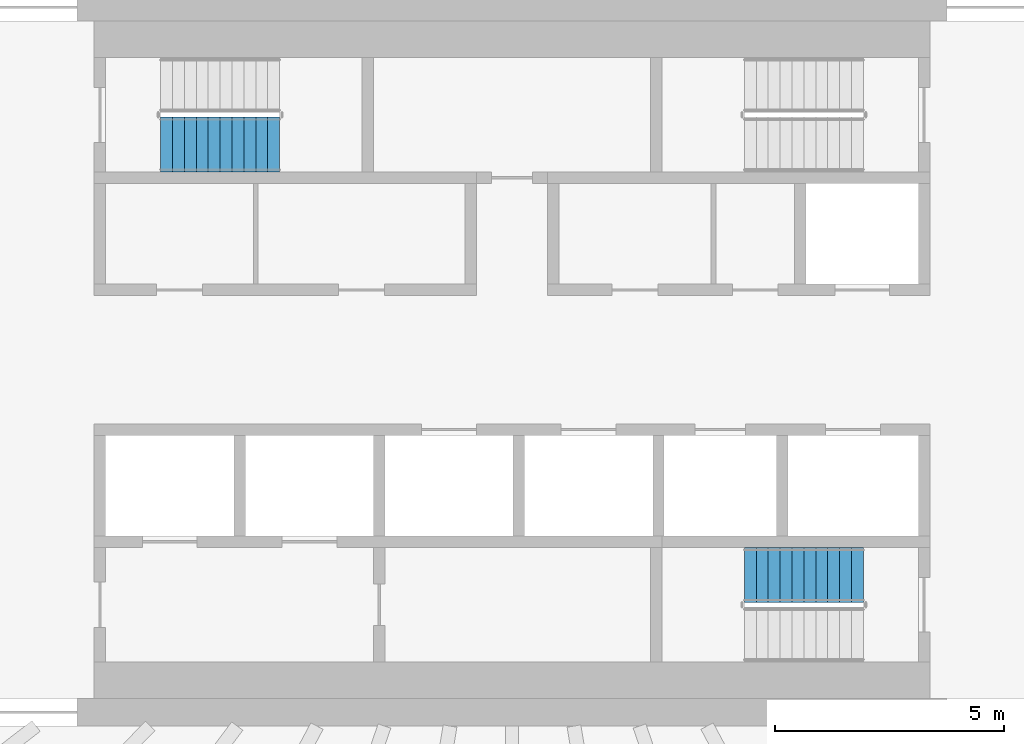
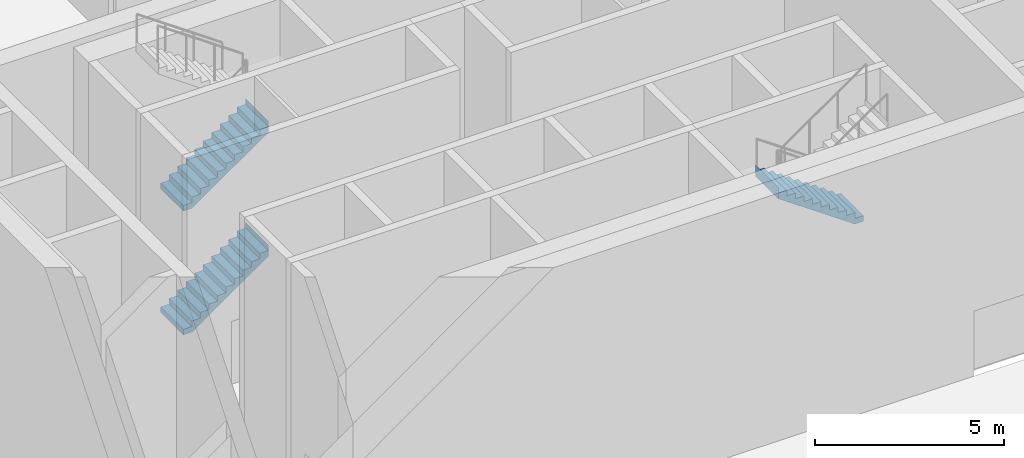
# One storey, part 26 of 36: 3 stair flights, 2 elements without a shape of their own.
"""IFC4 building model written with IfcOpenShell, lengths in metres."""

import ifcopenshell
import ifcopenshell.guid

model = None  # the IFC model being written
_history = None  # IfcOwnerHistory: only IFC2X3 demands one
_inside = {}  # id of a spatial element -> (the spatial element, [elements in it])
_under = {}  # id of a project, library or spatial element -> (it, [spatial elements below it])
_declared = {}  # id of a project -> (the project, [libraries it declares])
_typed = {}  # id of a type object -> (the type object, [elements of that type])
_made_of = {}  # id of a material, layer set ... -> (it, [elements and type objects made of it])


def new_model(schema):
    """Start an empty IFC model of exactly this schema.

    Asked for "IFC4X3", IfcOpenShell would pick the latest addendum, in which some entities
    have other attributes; the version numbers below select the first issue.
    IFC2X3 requires an IfcOwnerHistory on every rooted entity: one is made here for all.
    """
    global model, _history
    if schema == "IFC4X3":
        model = ifcopenshell.file(schema_version=(4, 3, 0, 0))
    else:
        model = ifcopenshell.file(schema=schema)
    _inside.clear()
    _under.clear()
    _declared.clear()
    _typed.clear()
    _made_of.clear()
    _history = None
    if model.schema == "IFC2X3":
        org = make("IfcOrganization", Name="unknown")
        user = make(
            "IfcPersonAndOrganization",
            ThePerson=make("IfcPerson", FamilyName="unknown"),
            TheOrganization=org,
        )
        app = make(
            "IfcApplication",
            ApplicationDeveloper=org,
            Version="unknown",
            ApplicationFullName="unknown",
            ApplicationIdentifier="unknown",
        )
        _history = make(
            "IfcOwnerHistory",
            OwningUser=user,
            OwningApplication=app,
            ChangeAction="ADDED",
            CreationDate=0,
        )
    return model


def make(cls, **values):
    """One entity of the class cls with the attributes given. An attribute that is None is left unset."""
    return model.create_entity(
        cls, **{name: value for name, value in values.items() if value is not None}
    )


def rooted(cls, **values):
    """An entity with a GlobalId (a new one), such as an element, a storey or a relation."""
    return make(cls, GlobalId=ifcopenshell.guid.new(), OwnerHistory=_history, **values)


def si_unit(unit_type, name, prefix=None):
    """IfcSIUnit, for example si_unit("LENGTHUNIT", "METRE", prefix="MILLI")."""
    return make("IfcSIUnit", UnitType=unit_type, Prefix=prefix, Name=name)


def assignment(units):
    """IfcUnitAssignment: the units of a project."""
    return None if units is None else make("IfcUnitAssignment", Units=units)


def point(xyz):
    """IfcCartesianPoint."""
    return None if xyz is None else make("IfcCartesianPoint", Coordinates=xyz)


def direction(xyz):
    """IfcDirection."""
    return None if xyz is None else make("IfcDirection", DirectionRatios=xyz)


def frame(location, z_axis=None, x_axis=None):
    """IfcAxis2Placement3D, a coordinate frame: its origin and axes. An axis left out is left unset."""
    return make(
        "IfcAxis2Placement3D",
        Location=point(location),
        Axis=direction(z_axis),
        RefDirection=direction(x_axis),
    )


def origin():
    """The frame at (0, 0, 0) with its axes left unset."""
    return frame((0.0, 0.0, 0.0))


def place(relative_to, where):
    """IfcLocalPlacement: puts the frame where relative to a parent placement (None: the world)."""
    return make(
        "IfcLocalPlacement", PlacementRelTo=relative_to, RelativePlacement=where
    )


def context(
    kind, dimensions, precision=None, world=None, true_north=None, identifier=None
):
    """IfcGeometricRepresentationContext, for example the 3D "Model" context."""
    return make(
        "IfcGeometricRepresentationContext",
        ContextIdentifier=identifier,
        ContextType=kind,
        CoordinateSpaceDimension=dimensions,
        Precision=precision,
        WorldCoordinateSystem=world,
        TrueNorth=true_north,
    )


def subcontext(parent, identifier, kind, view, scale=None):
    """IfcGeometricRepresentationSubContext, for example "Body" below "Model"."""
    return make(
        "IfcGeometricRepresentationSubContext",
        ContextIdentifier=identifier,
        ContextType=kind,
        ParentContext=parent,
        TargetScale=scale,
        TargetView=view,
    )


def project(units=None, contexts=None):
    """IfcProject with its units and contexts."""
    return rooted(
        "IfcProject",
        Name="project",
        RepresentationContexts=contexts,
        UnitsInContext=assignment(units),
    )


def spatial(cls, under=None, at=None, **own):
    """A site, building, storey or space (cls), placed at a placement, below another one or the project."""
    s = rooted(cls, ObjectPlacement=at, **own)
    if under is not None:
        _under.setdefault(under.id(), (under, []))[1].append(s)
    return s


def point_list(points):
    """IfcCartesianPointList2D or 3D."""
    cls = (
        "IfcCartesianPointList2D" if len(points[0]) == 2 else "IfcCartesianPointList3D"
    )
    return make(cls, CoordList=points)


def triangles(points, corners, closed=None, point_numbers=None):
    """IfcTriangulatedFaceSet: each triangle names its three corners, points numbered from 1."""
    return make(
        "IfcTriangulatedFaceSet",
        Coordinates=point_list(points),
        Closed=closed,
        CoordIndex=corners,
        PnIndex=point_numbers,
    )


def shape(context_of_items, identifier, shape_type, items):
    """IfcShapeRepresentation: the items that make up one representation, for example the "Body"."""
    return make(
        "IfcShapeRepresentation",
        ContextOfItems=context_of_items,
        RepresentationIdentifier=identifier,
        RepresentationType=shape_type,
        Items=items,
    )


def material(Name=None, Category=None):
    """IfcMaterial."""
    return make("IfcMaterial", Name=Name, Category=Category)


def made_of(thing, what):
    """Note that an element or type object is made of a material, layer set ...; save() writes the relation."""
    if what is not None:
        _made_of.setdefault(what.id(), (what, []))[1].append(thing)
    return thing


def type_object(cls, material=None, **own):
    """A type object (cls), such as IfcWallType, which elements share."""
    return made_of(rooted(cls, **own), material)


def element(
    cls,
    number,
    at=None,
    inside=None,
    cuts=None,
    type_object=None,
    material=None,
    context=None,
    identifier="Body",
    shape_type=None,
    held_by="IfcProductDefinitionShape",
    body=None,
    shapes=None,
    **own,
):
    """One element of the class cls, such as IfcWall. Its Tag is "e" and its number.

    at: its placement. inside: the storey or other place that contains it. cuts: it is an
    opening in that element (IfcRelVoidsElement). A single representation is given by context,
    identifier, shape_type and body (its items); several are given by shapes. held_by: the class
    of the entity that holds the representations. save() writes the other relations.
    """
    e = rooted(cls, Tag="e%d" % number, ObjectPlacement=at, **own)
    if body is not None:
        shapes = [shape(context, identifier, shape_type, body)]
    if shapes is not None:
        e.Representation = make(held_by, Representations=shapes)
    if inside is not None:
        _inside.setdefault(inside.id(), (inside, []))[1].append(e)
    if cuts is not None:
        rooted(
            "IfcRelVoidsElement", RelatingBuildingElement=cuts, RelatedOpeningElement=e
        )
    if type_object is not None:
        _typed.setdefault(type_object.id(), (type_object, []))[1].append(e)
    return made_of(e, material)


def aggregate(whole, parts):
    """IfcRelAggregates: a whole, such as a stair, and the parts it consists of."""
    return rooted("IfcRelAggregates", RelatingObject=whole, RelatedObjects=parts)


def save(model, path):
    """Write the relations noted so far, then the file.

    IfcRelAggregates (storeys below a building ...), IfcRelContainedInSpatialStructure (elements
    in a storey), IfcRelDefinesByType, IfcRelAssociatesMaterial and IfcRelDeclares: one each for
    every whole, place, type object, material and project.
    """
    for whole, parts in _under.values():
        aggregate(whole, parts)
    for where, things in _inside.values():
        rooted(
            "IfcRelContainedInSpatialStructure",
            RelatedElements=things,
            RelatingStructure=where,
        )
    for kind, things in _typed.values():
        rooted("IfcRelDefinesByType", RelatedObjects=things, RelatingType=kind)
    for what, things in _made_of.values():
        rooted("IfcRelAssociatesMaterial", RelatedObjects=things, RelatingMaterial=what)
    for by, libraries in _declared.values():
        rooted("IfcRelDeclares", RelatingContext=by, RelatedDefinitions=libraries)
    model.write(path)


model = new_model("IFC4")

# Units and contexts
model_context = context("Model", 3, precision=1e-05, world=origin(), true_north=direction((0.0, 1.0)))
body_context = subcontext(model_context, "Body", "Model", "MODEL_VIEW")
ifc_project = project(units=[si_unit("LENGTHUNIT", "METRE"), si_unit("AREAUNIT", "SQUARE_METRE"), si_unit("VOLUMEUNIT", "CUBIC_METRE"), si_unit("PLANEANGLEUNIT", "RADIAN"), si_unit("MASSUNIT", "GRAM", prefix="KILO")], contexts=[model_context])

# Site, building, storey
site_placement = place(None, origin())
site = spatial("IfcSite", under=ifc_project, at=site_placement, CompositionType="ELEMENT")
building_placement = place(site_placement, origin())
building = spatial("IfcBuilding", under=site, at=building_placement, Name="Sahrelin Media Tower", CompositionType="ELEMENT")
storey_placement = place(building_placement, origin())
storey = spatial("IfcBuildingStorey", under=building, at=storey_placement, Name="L00", CompositionType="ELEMENT", Elevation=0.0)

# Stair, stair flights
ifc_material = material(Name="Concrete C40/50", Category="concrete")
stair_type = type_object("IfcStairType", Name="Exit stair 1200", PredefinedType="HALF_TURN_STAIR", material=ifc_material)
placement = place(storey_placement, origin())
stair_1 = element("IfcStair", 1, at=placement, inside=storey, type_object=stair_type, Name="L00 Exit stair ST1", PredefinedType="HALF_TURN_STAIR")
stair_flight_type = type_object("IfcStairFlightType", Name="Stair flight 1200", PredefinedType="STRAIGHT", material=ifc_material)
stair_flight_1_placement = place(storey_placement, frame((-7.675048828125, 4.699951171875, 0.0), z_axis=(0.0, 0.0, 1.0), x_axis=(1.0, 0.0, 0.0)))
stair_flight_1 = element("IfcStairFlight", 2, at=stair_flight_1_placement, type_object=stair_flight_type, Name="ST1 flight 1", NumberOfRisers=11, NumberOfTreads=10, PredefinedType="STRAIGHT", RiserHeight=0.181818182, TreadLength=0.26, context=body_context, shape_type="Tessellation", body=[
    triangles([(0.261474609375, 0.60009765625, 0.0), (0.261474609375, 0.300048828125, 0.0), (0.261474609375, 0.0, 0.0), (0.261474609375, -0.300048828125, 0.0), (0.261474609375, -0.60009765625, 0.0), (2.60009765625, 0.60009765625, 1.63525390625), (2.60009765625, 0.300048828125, 1.63525390625), (2.60009765625, 0.0, 1.63525390625), (2.60009765625, -0.300048828125, 1.63525390625), (2.60009765625, -0.60009765625, 1.63525390625), (2.60009765625, 0.60009765625, 2.0), (2.60009765625, 0.300048828125, 2.0), (2.60009765625, 0.0, 2.0), (2.60009765625, -0.300048828125, 2.0), (2.60009765625, -0.60009765625, 2.0), (2.597900390625, 0.60009765625, 2.0), (2.597900390625, 0.300048828125, 2.0), (2.597900390625, 0.0, 2.0), (2.597900390625, -0.300048828125, 2.0), (2.597900390625, -0.60009765625, 2.0), (2.597900390625, 0.60009765625, 1.818115234375), (2.597900390625, 0.300048828125, 1.818115234375), (2.597900390625, 0.0, 1.818115234375), (2.597900390625, -0.300048828125, 1.818115234375), (2.597900390625, -0.60009765625, 1.818115234375), (2.340087890625, 0.60009765625, 1.818115234375), (2.340087890625, 0.300048828125, 1.818115234375), (2.340087890625, 0.0, 1.818115234375), (2.340087890625, -0.300048828125, 1.818115234375), (2.340087890625, -0.60009765625, 1.818115234375), (2.340087890625, 0.60009765625, 1.636474609375), (2.340087890625, 0.300048828125, 1.636474609375), (2.340087890625, 0.0, 1.636474609375), (2.340087890625, -0.300048828125, 1.636474609375), (2.340087890625, -0.60009765625, 1.636474609375), (2.080078125, 0.60009765625, 1.636474609375), (2.080078125, 0.300048828125, 1.636474609375), (2.080078125, 0.0, 1.636474609375), (2.080078125, -0.300048828125, 1.636474609375), (2.080078125, -0.60009765625, 1.636474609375), (2.080078125, 0.60009765625, 1.45458984375), (2.080078125, 0.300048828125, 1.45458984375), (2.080078125, 0.0, 1.45458984375), (2.080078125, -0.300048828125, 1.45458984375), (2.080078125, -0.60009765625, 1.45458984375), (1.820068359375, 0.60009765625, 1.45458984375), (1.820068359375, 0.300048828125, 1.45458984375), (1.820068359375, 0.0, 1.45458984375), (1.820068359375, -0.300048828125, 1.45458984375), (1.820068359375, -0.60009765625, 1.45458984375), (1.820068359375, 0.60009765625, 1.272705078125), (1.820068359375, 0.300048828125, 1.272705078125), (1.820068359375, 0.0, 1.272705078125), (1.820068359375, -0.300048828125, 1.272705078125), (1.820068359375, -0.60009765625, 1.272705078125), (1.56005859375, 0.60009765625, 1.272705078125), (1.56005859375, 0.300048828125, 1.272705078125), (1.56005859375, 0.0, 1.272705078125), (1.56005859375, -0.300048828125, 1.272705078125), (1.56005859375, -0.60009765625, 1.272705078125), (1.56005859375, 0.60009765625, 1.0908203125), (1.56005859375, 0.300048828125, 1.0908203125), (1.56005859375, 0.0, 1.0908203125), (1.56005859375, -0.300048828125, 1.0908203125), (1.56005859375, -0.60009765625, 1.0908203125), (1.300048828125, 0.60009765625, 1.0908203125), (1.300048828125, 0.300048828125, 1.0908203125), (1.300048828125, 0.0, 1.0908203125), (1.300048828125, -0.300048828125, 1.0908203125), (1.300048828125, -0.60009765625, 1.0908203125), (1.300048828125, 0.60009765625, 0.9091796875), (1.300048828125, 0.300048828125, 0.9091796875), (1.300048828125, 0.0, 0.9091796875), (1.300048828125, -0.300048828125, 0.9091796875), (1.300048828125, -0.60009765625, 0.9091796875), (1.0400390625, 0.60009765625, 0.9091796875), (1.0400390625, 0.300048828125, 0.9091796875), (1.0400390625, 0.0, 0.9091796875), (1.0400390625, -0.300048828125, 0.9091796875), (1.0400390625, -0.60009765625, 0.9091796875), (1.0400390625, 0.60009765625, 0.727294921875), (1.0400390625, 0.300048828125, 0.727294921875), (1.0400390625, 0.0, 0.727294921875), (1.0400390625, -0.300048828125, 0.727294921875), (1.0400390625, -0.60009765625, 0.727294921875), (0.780029296875, 0.60009765625, 0.727294921875), (0.780029296875, 0.300048828125, 0.727294921875), (0.780029296875, 0.0, 0.727294921875), (0.780029296875, -0.300048828125, 0.727294921875), (0.780029296875, -0.60009765625, 0.727294921875), (0.780029296875, 0.60009765625, 0.54541015625), (0.780029296875, 0.300048828125, 0.54541015625), (0.780029296875, 0.0, 0.54541015625), (0.780029296875, -0.300048828125, 0.54541015625), (0.780029296875, -0.60009765625, 0.54541015625), (0.52001953125, 0.60009765625, 0.54541015625), (0.52001953125, 0.300048828125, 0.54541015625), (0.52001953125, 0.0, 0.54541015625), (0.52001953125, -0.300048828125, 0.54541015625), (0.52001953125, -0.60009765625, 0.54541015625), (0.52001953125, 0.60009765625, 0.363525390625), (0.52001953125, 0.300048828125, 0.363525390625), (0.52001953125, 0.0, 0.363525390625), (0.52001953125, -0.300048828125, 0.363525390625), (0.52001953125, -0.60009765625, 0.363525390625), (0.260009765625, 0.60009765625, 0.363525390625), (0.260009765625, 0.300048828125, 0.363525390625), (0.260009765625, 0.0, 0.363525390625), (0.260009765625, -0.300048828125, 0.363525390625), (0.260009765625, -0.60009765625, 0.363525390625), (0.260009765625, 0.60009765625, 0.181884765625), (0.260009765625, 0.300048828125, 0.181884765625), (0.260009765625, 0.0, 0.181884765625), (0.260009765625, -0.300048828125, 0.181884765625), (0.260009765625, -0.60009765625, 0.181884765625), (0.0, 0.60009765625, 0.181884765625), (0.0, 0.300048828125, 0.181884765625), (0.0, 0.0, 0.181884765625), (0.0, -0.300048828125, 0.181884765625), (0.0, -0.60009765625, 0.181884765625), (0.0, 0.60009765625, 0.0), (0.0, 0.300048828125, 0.0), (0.0, 0.0, 0.0), (0.0, -0.300048828125, 0.0), (0.0, -0.60009765625, 0.0)], [[1, 6, 7], [1, 7, 2], [2, 7, 8], [2, 8, 3], [3, 8, 9], [3, 9, 4], [4, 9, 10], [4, 10, 5], [6, 11, 12], [6, 12, 7], [7, 12, 13], [7, 13, 8], [8, 13, 14], [8, 14, 9], [9, 14, 15], [9, 15, 10], [11, 16, 17], [11, 17, 12], [12, 17, 18], [12, 18, 13], [13, 18, 19], [13, 19, 14], [14, 19, 20], [14, 20, 15], [16, 21, 22], [16, 22, 17], [17, 22, 23], [17, 23, 18], [18, 23, 24], [18, 24, 19], [19, 24, 25], [19, 25, 20], [21, 26, 27], [21, 27, 22], [22, 27, 28], [22, 28, 23], [23, 28, 29], [23, 29, 24], [24, 29, 30], [24, 30, 25], [26, 31, 32], [26, 32, 27], [27, 32, 33], [27, 33, 28], [28, 33, 34], [28, 34, 29], [29, 34, 35], [29, 35, 30], [31, 36, 37], [31, 37, 32], [32, 37, 38], [32, 38, 33], [33, 38, 39], [33, 39, 34], [34, 39, 40], [34, 40, 35], [36, 41, 42], [36, 42, 37], [37, 42, 43], [37, 43, 38], [38, 43, 44], [38, 44, 39], [39, 44, 45], [39, 45, 40], [41, 46, 47], [41, 47, 42], [42, 47, 48], [42, 48, 43], [43, 48, 49], [43, 49, 44], [44, 49, 50], [44, 50, 45], [46, 51, 52], [46, 52, 47], [47, 52, 53], [47, 53, 48], [48, 53, 54], [48, 54, 49], [49, 54, 55], [49, 55, 50], [51, 56, 57], [51, 57, 52], [52, 57, 58], [52, 58, 53], [53, 58, 59], [53, 59, 54], [54, 59, 60], [54, 60, 55], [56, 61, 62], [56, 62, 57], [57, 62, 63], [57, 63, 58], [58, 63, 64], [58, 64, 59], [59, 64, 65], [59, 65, 60], [61, 66, 67], [61, 67, 62], [62, 67, 68], [62, 68, 63], [63, 68, 69], [63, 69, 64], [64, 69, 70], [64, 70, 65], [66, 71, 72], [66, 72, 67], [67, 72, 73], [67, 73, 68], [68, 73, 74], [68, 74, 69], [69, 74, 75], [69, 75, 70], [71, 76, 77], [71, 77, 72], [72, 77, 78], [72, 78, 73], [73, 78, 79], [73, 79, 74], [74, 79, 80], [74, 80, 75], [76, 81, 82], [76, 82, 77], [77, 82, 83], [77, 83, 78], [78, 83, 84], [78, 84, 79], [79, 84, 85], [79, 85, 80], [81, 86, 87], [81, 87, 82], [82, 87, 88], [82, 88, 83], [83, 88, 89], [83, 89, 84], [84, 89, 90], [84, 90, 85], [86, 91, 92], [86, 92, 87], [87, 92, 93], [87, 93, 88], [88, 93, 94], [88, 94, 89], [89, 94, 95], [89, 95, 90], [91, 96, 97], [91, 97, 92], [92, 97, 98], [92, 98, 93], [93, 98, 99], [93, 99, 94], [94, 99, 100], [94, 100, 95], [96, 101, 102], [96, 102, 97], [97, 102, 103], [97, 103, 98], [98, 103, 104], [98, 104, 99], [99, 104, 105], [99, 105, 100], [101, 106, 107], [101, 107, 102], [102, 107, 108], [102, 108, 103], [103, 108, 109], [103, 109, 104], [104, 109, 110], [104, 110, 105], [106, 111, 112], [106, 112, 107], [107, 112, 113], [107, 113, 108], [108, 113, 114], [108, 114, 109], [109, 114, 115], [109, 115, 110], [111, 116, 117], [111, 117, 112], [112, 117, 118], [112, 118, 113], [113, 118, 119], [113, 119, 114], [114, 119, 120], [114, 120, 115], [116, 121, 122], [116, 122, 117], [117, 122, 123], [117, 123, 118], [118, 123, 124], [118, 124, 119], [119, 124, 125], [119, 125, 120], [121, 1, 2], [121, 2, 122], [122, 2, 3], [122, 3, 123], [123, 3, 4], [123, 4, 124], [124, 4, 5], [124, 5, 125], [115, 120, 125], [111, 121, 116], [115, 105, 110], [111, 106, 101], [105, 95, 100], [101, 96, 91], [95, 85, 90], [91, 86, 81], [85, 75, 80], [81, 76, 71], [75, 65, 70], [71, 66, 61], [65, 55, 60], [61, 56, 51], [55, 45, 50], [51, 46, 41], [45, 35, 40], [41, 36, 31], [35, 25, 30], [31, 26, 21], [25, 15, 20], [21, 16, 11], [125, 5, 115], [121, 111, 1], [25, 10, 15], [21, 11, 6], [105, 115, 5], [101, 1, 111], [35, 10, 25], [31, 21, 6], [95, 105, 5], [91, 1, 101], [45, 10, 35], [41, 31, 6], [85, 95, 5], [81, 1, 91], [55, 10, 45], [51, 41, 6], [75, 85, 5], [71, 1, 81], [65, 10, 55], [61, 51, 6], [5, 10, 75], [1, 71, 6], [75, 10, 65], [71, 61, 6]], closed=True),
])
stair_flight_2_placement = place(storey_placement, frame((-7.675048828125, 4.699951171875, 4.0), z_axis=(0.0, 0.0, 1.0), x_axis=(1.0, 0.0, 0.0)))
stair_flight_2 = element("IfcStairFlight", 3, at=stair_flight_2_placement, type_object=stair_flight_type, Name="ST1 flight 3", NumberOfRisers=11, NumberOfTreads=10, PredefinedType="STRAIGHT", RiserHeight=0.181818182, TreadLength=0.26, context=body_context, shape_type="Tessellation", body=[
    triangles([(0.261474609375, 0.60009765625, 0.0), (0.261474609375, 0.300048828125, 0.0), (0.261474609375, 0.0, 0.0), (0.261474609375, -0.300048828125, 0.0), (0.261474609375, -0.60009765625, 0.0), (2.60009765625, 0.60009765625, 1.63525390625), (2.60009765625, 0.300048828125, 1.63525390625), (2.60009765625, 0.0, 1.63525390625), (2.60009765625, -0.300048828125, 1.63525390625), (2.60009765625, -0.60009765625, 1.63525390625), (2.60009765625, 0.60009765625, 2.0), (2.60009765625, 0.300048828125, 2.0), (2.60009765625, 0.0, 2.0), (2.60009765625, -0.300048828125, 2.0), (2.60009765625, -0.60009765625, 2.0), (2.597900390625, 0.60009765625, 2.0), (2.597900390625, 0.300048828125, 2.0), (2.597900390625, 0.0, 2.0), (2.597900390625, -0.300048828125, 2.0), (2.597900390625, -0.60009765625, 2.0), (2.597900390625, 0.60009765625, 1.818115234375), (2.597900390625, 0.300048828125, 1.818115234375), (2.597900390625, 0.0, 1.818115234375), (2.597900390625, -0.300048828125, 1.818115234375), (2.597900390625, -0.60009765625, 1.818115234375), (2.340087890625, 0.60009765625, 1.818115234375), (2.340087890625, 0.300048828125, 1.818115234375), (2.340087890625, 0.0, 1.818115234375), (2.340087890625, -0.300048828125, 1.818115234375), (2.340087890625, -0.60009765625, 1.818115234375), (2.340087890625, 0.60009765625, 1.636474609375), (2.340087890625, 0.300048828125, 1.636474609375), (2.340087890625, 0.0, 1.636474609375), (2.340087890625, -0.300048828125, 1.636474609375), (2.340087890625, -0.60009765625, 1.636474609375), (2.080078125, 0.60009765625, 1.636474609375), (2.080078125, 0.300048828125, 1.636474609375), (2.080078125, 0.0, 1.636474609375), (2.080078125, -0.300048828125, 1.636474609375), (2.080078125, -0.60009765625, 1.636474609375), (2.080078125, 0.60009765625, 1.45458984375), (2.080078125, 0.300048828125, 1.45458984375), (2.080078125, 0.0, 1.45458984375), (2.080078125, -0.300048828125, 1.45458984375), (2.080078125, -0.60009765625, 1.45458984375), (1.820068359375, 0.60009765625, 1.45458984375), (1.820068359375, 0.300048828125, 1.45458984375), (1.820068359375, 0.0, 1.45458984375), (1.820068359375, -0.300048828125, 1.45458984375), (1.820068359375, -0.60009765625, 1.45458984375), (1.820068359375, 0.60009765625, 1.272705078125), (1.820068359375, 0.300048828125, 1.272705078125), (1.820068359375, 0.0, 1.272705078125), (1.820068359375, -0.300048828125, 1.272705078125), (1.820068359375, -0.60009765625, 1.272705078125), (1.56005859375, 0.60009765625, 1.272705078125), (1.56005859375, 0.300048828125, 1.272705078125), (1.56005859375, 0.0, 1.272705078125), (1.56005859375, -0.300048828125, 1.272705078125), (1.56005859375, -0.60009765625, 1.272705078125), (1.56005859375, 0.60009765625, 1.0908203125), (1.56005859375, 0.300048828125, 1.0908203125), (1.56005859375, 0.0, 1.0908203125), (1.56005859375, -0.300048828125, 1.0908203125), (1.56005859375, -0.60009765625, 1.0908203125), (1.300048828125, 0.60009765625, 1.0908203125), (1.300048828125, 0.300048828125, 1.0908203125), (1.300048828125, 0.0, 1.0908203125), (1.300048828125, -0.300048828125, 1.0908203125), (1.300048828125, -0.60009765625, 1.0908203125), (1.300048828125, 0.60009765625, 0.9091796875), (1.300048828125, 0.300048828125, 0.9091796875), (1.300048828125, 0.0, 0.9091796875), (1.300048828125, -0.300048828125, 0.9091796875), (1.300048828125, -0.60009765625, 0.9091796875), (1.0400390625, 0.60009765625, 0.9091796875), (1.0400390625, 0.300048828125, 0.9091796875), (1.0400390625, 0.0, 0.9091796875), (1.0400390625, -0.300048828125, 0.9091796875), (1.0400390625, -0.60009765625, 0.9091796875), (1.0400390625, 0.60009765625, 0.727294921875), (1.0400390625, 0.300048828125, 0.727294921875), (1.0400390625, 0.0, 0.727294921875), (1.0400390625, -0.300048828125, 0.727294921875), (1.0400390625, -0.60009765625, 0.727294921875), (0.780029296875, 0.60009765625, 0.727294921875), (0.780029296875, 0.300048828125, 0.727294921875), (0.780029296875, 0.0, 0.727294921875), (0.780029296875, -0.300048828125, 0.727294921875), (0.780029296875, -0.60009765625, 0.727294921875), (0.780029296875, 0.60009765625, 0.54541015625), (0.780029296875, 0.300048828125, 0.54541015625), (0.780029296875, 0.0, 0.54541015625), (0.780029296875, -0.300048828125, 0.54541015625), (0.780029296875, -0.60009765625, 0.54541015625), (0.52001953125, 0.60009765625, 0.54541015625), (0.52001953125, 0.300048828125, 0.54541015625), (0.52001953125, 0.0, 0.54541015625), (0.52001953125, -0.300048828125, 0.54541015625), (0.52001953125, -0.60009765625, 0.54541015625), (0.52001953125, 0.60009765625, 0.363525390625), (0.52001953125, 0.300048828125, 0.363525390625), (0.52001953125, 0.0, 0.363525390625), (0.52001953125, -0.300048828125, 0.363525390625), (0.52001953125, -0.60009765625, 0.363525390625), (0.260009765625, 0.60009765625, 0.363525390625), (0.260009765625, 0.300048828125, 0.363525390625), (0.260009765625, 0.0, 0.363525390625), (0.260009765625, -0.300048828125, 0.363525390625), (0.260009765625, -0.60009765625, 0.363525390625), (0.260009765625, 0.60009765625, 0.181884765625), (0.260009765625, 0.300048828125, 0.181884765625), (0.260009765625, 0.0, 0.181884765625), (0.260009765625, -0.300048828125, 0.181884765625), (0.260009765625, -0.60009765625, 0.181884765625), (0.0, 0.60009765625, 0.181884765625), (0.0, 0.300048828125, 0.181884765625), (0.0, 0.0, 0.181884765625), (0.0, -0.300048828125, 0.181884765625), (0.0, -0.60009765625, 0.181884765625), (0.0, 0.60009765625, 0.0), (0.0, 0.300048828125, 0.0), (0.0, 0.0, 0.0), (0.0, -0.300048828125, 0.0), (0.0, -0.60009765625, 0.0)], [[1, 6, 7], [1, 7, 2], [2, 7, 8], [2, 8, 3], [3, 8, 9], [3, 9, 4], [4, 9, 10], [4, 10, 5], [6, 11, 12], [6, 12, 7], [7, 12, 13], [7, 13, 8], [8, 13, 14], [8, 14, 9], [9, 14, 15], [9, 15, 10], [11, 16, 17], [11, 17, 12], [12, 17, 18], [12, 18, 13], [13, 18, 19], [13, 19, 14], [14, 19, 20], [14, 20, 15], [16, 21, 22], [16, 22, 17], [17, 22, 23], [17, 23, 18], [18, 23, 24], [18, 24, 19], [19, 24, 25], [19, 25, 20], [21, 26, 27], [21, 27, 22], [22, 27, 28], [22, 28, 23], [23, 28, 29], [23, 29, 24], [24, 29, 30], [24, 30, 25], [26, 31, 32], [26, 32, 27], [27, 32, 33], [27, 33, 28], [28, 33, 34], [28, 34, 29], [29, 34, 35], [29, 35, 30], [31, 36, 37], [31, 37, 32], [32, 37, 38], [32, 38, 33], [33, 38, 39], [33, 39, 34], [34, 39, 40], [34, 40, 35], [36, 41, 42], [36, 42, 37], [37, 42, 43], [37, 43, 38], [38, 43, 44], [38, 44, 39], [39, 44, 45], [39, 45, 40], [41, 46, 47], [41, 47, 42], [42, 47, 48], [42, 48, 43], [43, 48, 49], [43, 49, 44], [44, 49, 50], [44, 50, 45], [46, 51, 52], [46, 52, 47], [47, 52, 53], [47, 53, 48], [48, 53, 54], [48, 54, 49], [49, 54, 55], [49, 55, 50], [51, 56, 57], [51, 57, 52], [52, 57, 58], [52, 58, 53], [53, 58, 59], [53, 59, 54], [54, 59, 60], [54, 60, 55], [56, 61, 62], [56, 62, 57], [57, 62, 63], [57, 63, 58], [58, 63, 64], [58, 64, 59], [59, 64, 65], [59, 65, 60], [61, 66, 67], [61, 67, 62], [62, 67, 68], [62, 68, 63], [63, 68, 69], [63, 69, 64], [64, 69, 70], [64, 70, 65], [66, 71, 72], [66, 72, 67], [67, 72, 73], [67, 73, 68], [68, 73, 74], [68, 74, 69], [69, 74, 75], [69, 75, 70], [71, 76, 77], [71, 77, 72], [72, 77, 78], [72, 78, 73], [73, 78, 79], [73, 79, 74], [74, 79, 80], [74, 80, 75], [76, 81, 82], [76, 82, 77], [77, 82, 83], [77, 83, 78], [78, 83, 84], [78, 84, 79], [79, 84, 85], [79, 85, 80], [81, 86, 87], [81, 87, 82], [82, 87, 88], [82, 88, 83], [83, 88, 89], [83, 89, 84], [84, 89, 90], [84, 90, 85], [86, 91, 92], [86, 92, 87], [87, 92, 93], [87, 93, 88], [88, 93, 94], [88, 94, 89], [89, 94, 95], [89, 95, 90], [91, 96, 97], [91, 97, 92], [92, 97, 98], [92, 98, 93], [93, 98, 99], [93, 99, 94], [94, 99, 100], [94, 100, 95], [96, 101, 102], [96, 102, 97], [97, 102, 103], [97, 103, 98], [98, 103, 104], [98, 104, 99], [99, 104, 105], [99, 105, 100], [101, 106, 107], [101, 107, 102], [102, 107, 108], [102, 108, 103], [103, 108, 109], [103, 109, 104], [104, 109, 110], [104, 110, 105], [106, 111, 112], [106, 112, 107], [107, 112, 113], [107, 113, 108], [108, 113, 114], [108, 114, 109], [109, 114, 115], [109, 115, 110], [111, 116, 117], [111, 117, 112], [112, 117, 118], [112, 118, 113], [113, 118, 119], [113, 119, 114], [114, 119, 120], [114, 120, 115], [116, 121, 122], [116, 122, 117], [117, 122, 123], [117, 123, 118], [118, 123, 124], [118, 124, 119], [119, 124, 125], [119, 125, 120], [121, 1, 2], [121, 2, 122], [122, 2, 3], [122, 3, 123], [123, 3, 4], [123, 4, 124], [124, 4, 5], [124, 5, 125], [115, 120, 125], [111, 121, 116], [115, 105, 110], [111, 106, 101], [105, 95, 100], [101, 96, 91], [95, 85, 90], [91, 86, 81], [85, 75, 80], [81, 76, 71], [75, 65, 70], [71, 66, 61], [65, 55, 60], [61, 56, 51], [55, 45, 50], [51, 46, 41], [45, 35, 40], [41, 36, 31], [35, 25, 30], [31, 26, 21], [25, 15, 20], [21, 16, 11], [125, 5, 115], [121, 111, 1], [25, 10, 15], [21, 11, 6], [105, 115, 5], [101, 1, 111], [35, 10, 25], [31, 21, 6], [95, 105, 5], [91, 1, 101], [45, 10, 35], [41, 31, 6], [85, 95, 5], [81, 1, 91], [55, 10, 45], [51, 41, 6], [75, 85, 5], [71, 1, 81], [65, 10, 55], [61, 51, 6], [5, 10, 75], [1, 71, 6], [75, 10, 65], [71, 61, 6]], closed=True),
])
aggregate(stair_1, [stair_flight_1, stair_flight_2])

# Stair, stair flight
stair_2 = element("IfcStair", 4, at=placement, inside=storey, type_object=stair_type, Name="L00 Exit stair ST2", PredefinedType="HALF_TURN_STAIR")
stair_flight_3_placement = place(storey_placement, frame((7.675048828125, -4.699951171875, 4.0), z_axis=(0.0, 0.0, 1.0), x_axis=(-1.0, 0.0, 0.0)))
stair_flight_3 = element("IfcStairFlight", 5, at=stair_flight_3_placement, type_object=stair_flight_type, Name="ST2 flight 3", NumberOfRisers=11, NumberOfTreads=10, PredefinedType="STRAIGHT", RiserHeight=0.181818182, TreadLength=0.26, context=body_context, shape_type="Tessellation", body=[
    triangles([(0.261474609375, 0.60009765625, 0.0), (0.261474609375, 0.300048828125, 0.0), (0.261474609375, 0.0, 0.0), (0.261474609375, -0.300048828125, 0.0), (0.261474609375, -0.60009765625, 0.0), (2.60009765625, 0.60009765625, 1.63525390625), (2.60009765625, 0.300048828125, 1.63525390625), (2.60009765625, 0.0, 1.63525390625), (2.60009765625, -0.300048828125, 1.63525390625), (2.60009765625, -0.60009765625, 1.63525390625), (2.60009765625, 0.60009765625, 2.0), (2.60009765625, 0.300048828125, 2.0), (2.60009765625, 0.0, 2.0), (2.60009765625, -0.300048828125, 2.0), (2.60009765625, -0.60009765625, 2.0), (2.597900390625, 0.60009765625, 2.0), (2.597900390625, 0.300048828125, 2.0), (2.597900390625, 0.0, 2.0), (2.597900390625, -0.300048828125, 2.0), (2.597900390625, -0.60009765625, 2.0), (2.597900390625, 0.60009765625, 1.818115234375), (2.597900390625, 0.300048828125, 1.818115234375), (2.597900390625, 0.0, 1.818115234375), (2.597900390625, -0.300048828125, 1.818115234375), (2.597900390625, -0.60009765625, 1.818115234375), (2.340087890625, 0.60009765625, 1.818115234375), (2.340087890625, 0.300048828125, 1.818115234375), (2.340087890625, 0.0, 1.818115234375), (2.340087890625, -0.300048828125, 1.818115234375), (2.340087890625, -0.60009765625, 1.818115234375), (2.340087890625, 0.60009765625, 1.636474609375), (2.340087890625, 0.300048828125, 1.636474609375), (2.340087890625, 0.0, 1.636474609375), (2.340087890625, -0.300048828125, 1.636474609375), (2.340087890625, -0.60009765625, 1.636474609375), (2.080078125, 0.60009765625, 1.636474609375), (2.080078125, 0.300048828125, 1.636474609375), (2.080078125, 0.0, 1.636474609375), (2.080078125, -0.300048828125, 1.636474609375), (2.080078125, -0.60009765625, 1.636474609375), (2.080078125, 0.60009765625, 1.45458984375), (2.080078125, 0.300048828125, 1.45458984375), (2.080078125, 0.0, 1.45458984375), (2.080078125, -0.300048828125, 1.45458984375), (2.080078125, -0.60009765625, 1.45458984375), (1.820068359375, 0.60009765625, 1.45458984375), (1.820068359375, 0.300048828125, 1.45458984375), (1.820068359375, 0.0, 1.45458984375), (1.820068359375, -0.300048828125, 1.45458984375), (1.820068359375, -0.60009765625, 1.45458984375), (1.820068359375, 0.60009765625, 1.272705078125), (1.820068359375, 0.300048828125, 1.272705078125), (1.820068359375, 0.0, 1.272705078125), (1.820068359375, -0.300048828125, 1.272705078125), (1.820068359375, -0.60009765625, 1.272705078125), (1.56005859375, 0.60009765625, 1.272705078125), (1.56005859375, 0.300048828125, 1.272705078125), (1.56005859375, 0.0, 1.272705078125), (1.56005859375, -0.300048828125, 1.272705078125), (1.56005859375, -0.60009765625, 1.272705078125), (1.56005859375, 0.60009765625, 1.0908203125), (1.56005859375, 0.300048828125, 1.0908203125), (1.56005859375, 0.0, 1.0908203125), (1.56005859375, -0.300048828125, 1.0908203125), (1.56005859375, -0.60009765625, 1.0908203125), (1.300048828125, 0.60009765625, 1.0908203125), (1.300048828125, 0.300048828125, 1.0908203125), (1.300048828125, 0.0, 1.0908203125), (1.300048828125, -0.300048828125, 1.0908203125), (1.300048828125, -0.60009765625, 1.0908203125), (1.300048828125, 0.60009765625, 0.9091796875), (1.300048828125, 0.300048828125, 0.9091796875), (1.300048828125, 0.0, 0.9091796875), (1.300048828125, -0.300048828125, 0.9091796875), (1.300048828125, -0.60009765625, 0.9091796875), (1.0400390625, 0.60009765625, 0.9091796875), (1.0400390625, 0.300048828125, 0.9091796875), (1.0400390625, 0.0, 0.9091796875), (1.0400390625, -0.300048828125, 0.9091796875), (1.0400390625, -0.60009765625, 0.9091796875), (1.0400390625, 0.60009765625, 0.727294921875), (1.0400390625, 0.300048828125, 0.727294921875), (1.0400390625, 0.0, 0.727294921875), (1.0400390625, -0.300048828125, 0.727294921875), (1.0400390625, -0.60009765625, 0.727294921875), (0.780029296875, 0.60009765625, 0.727294921875), (0.780029296875, 0.300048828125, 0.727294921875), (0.780029296875, 0.0, 0.727294921875), (0.780029296875, -0.300048828125, 0.727294921875), (0.780029296875, -0.60009765625, 0.727294921875), (0.780029296875, 0.60009765625, 0.54541015625), (0.780029296875, 0.300048828125, 0.54541015625), (0.780029296875, 0.0, 0.54541015625), (0.780029296875, -0.300048828125, 0.54541015625), (0.780029296875, -0.60009765625, 0.54541015625), (0.52001953125, 0.60009765625, 0.54541015625), (0.52001953125, 0.300048828125, 0.54541015625), (0.52001953125, 0.0, 0.54541015625), (0.52001953125, -0.300048828125, 0.54541015625), (0.52001953125, -0.60009765625, 0.54541015625), (0.52001953125, 0.60009765625, 0.363525390625), (0.52001953125, 0.300048828125, 0.363525390625), (0.52001953125, 0.0, 0.363525390625), (0.52001953125, -0.300048828125, 0.363525390625), (0.52001953125, -0.60009765625, 0.363525390625), (0.260009765625, 0.60009765625, 0.363525390625), (0.260009765625, 0.300048828125, 0.363525390625), (0.260009765625, 0.0, 0.363525390625), (0.260009765625, -0.300048828125, 0.363525390625), (0.260009765625, -0.60009765625, 0.363525390625), (0.260009765625, 0.60009765625, 0.181884765625), (0.260009765625, 0.300048828125, 0.181884765625), (0.260009765625, 0.0, 0.181884765625), (0.260009765625, -0.300048828125, 0.181884765625), (0.260009765625, -0.60009765625, 0.181884765625), (0.0, 0.60009765625, 0.181884765625), (0.0, 0.300048828125, 0.181884765625), (0.0, 0.0, 0.181884765625), (0.0, -0.300048828125, 0.181884765625), (0.0, -0.60009765625, 0.181884765625), (0.0, 0.60009765625, 0.0), (0.0, 0.300048828125, 0.0), (0.0, 0.0, 0.0), (0.0, -0.300048828125, 0.0), (0.0, -0.60009765625, 0.0)], [[1, 6, 7], [1, 7, 2], [2, 7, 8], [2, 8, 3], [3, 8, 9], [3, 9, 4], [4, 9, 10], [4, 10, 5], [6, 11, 12], [6, 12, 7], [7, 12, 13], [7, 13, 8], [8, 13, 14], [8, 14, 9], [9, 14, 15], [9, 15, 10], [11, 16, 17], [11, 17, 12], [12, 17, 18], [12, 18, 13], [13, 18, 19], [13, 19, 14], [14, 19, 20], [14, 20, 15], [16, 21, 22], [16, 22, 17], [17, 22, 23], [17, 23, 18], [18, 23, 24], [18, 24, 19], [19, 24, 25], [19, 25, 20], [21, 26, 27], [21, 27, 22], [22, 27, 28], [22, 28, 23], [23, 28, 29], [23, 29, 24], [24, 29, 30], [24, 30, 25], [26, 31, 32], [26, 32, 27], [27, 32, 33], [27, 33, 28], [28, 33, 34], [28, 34, 29], [29, 34, 35], [29, 35, 30], [31, 36, 37], [31, 37, 32], [32, 37, 38], [32, 38, 33], [33, 38, 39], [33, 39, 34], [34, 39, 40], [34, 40, 35], [36, 41, 42], [36, 42, 37], [37, 42, 43], [37, 43, 38], [38, 43, 44], [38, 44, 39], [39, 44, 45], [39, 45, 40], [41, 46, 47], [41, 47, 42], [42, 47, 48], [42, 48, 43], [43, 48, 49], [43, 49, 44], [44, 49, 50], [44, 50, 45], [46, 51, 52], [46, 52, 47], [47, 52, 53], [47, 53, 48], [48, 53, 54], [48, 54, 49], [49, 54, 55], [49, 55, 50], [51, 56, 57], [51, 57, 52], [52, 57, 58], [52, 58, 53], [53, 58, 59], [53, 59, 54], [54, 59, 60], [54, 60, 55], [56, 61, 62], [56, 62, 57], [57, 62, 63], [57, 63, 58], [58, 63, 64], [58, 64, 59], [59, 64, 65], [59, 65, 60], [61, 66, 67], [61, 67, 62], [62, 67, 68], [62, 68, 63], [63, 68, 69], [63, 69, 64], [64, 69, 70], [64, 70, 65], [66, 71, 72], [66, 72, 67], [67, 72, 73], [67, 73, 68], [68, 73, 74], [68, 74, 69], [69, 74, 75], [69, 75, 70], [71, 76, 77], [71, 77, 72], [72, 77, 78], [72, 78, 73], [73, 78, 79], [73, 79, 74], [74, 79, 80], [74, 80, 75], [76, 81, 82], [76, 82, 77], [77, 82, 83], [77, 83, 78], [78, 83, 84], [78, 84, 79], [79, 84, 85], [79, 85, 80], [81, 86, 87], [81, 87, 82], [82, 87, 88], [82, 88, 83], [83, 88, 89], [83, 89, 84], [84, 89, 90], [84, 90, 85], [86, 91, 92], [86, 92, 87], [87, 92, 93], [87, 93, 88], [88, 93, 94], [88, 94, 89], [89, 94, 95], [89, 95, 90], [91, 96, 97], [91, 97, 92], [92, 97, 98], [92, 98, 93], [93, 98, 99], [93, 99, 94], [94, 99, 100], [94, 100, 95], [96, 101, 102], [96, 102, 97], [97, 102, 103], [97, 103, 98], [98, 103, 104], [98, 104, 99], [99, 104, 105], [99, 105, 100], [101, 106, 107], [101, 107, 102], [102, 107, 108], [102, 108, 103], [103, 108, 109], [103, 109, 104], [104, 109, 110], [104, 110, 105], [106, 111, 112], [106, 112, 107], [107, 112, 113], [107, 113, 108], [108, 113, 114], [108, 114, 109], [109, 114, 115], [109, 115, 110], [111, 116, 117], [111, 117, 112], [112, 117, 118], [112, 118, 113], [113, 118, 119], [113, 119, 114], [114, 119, 120], [114, 120, 115], [116, 121, 122], [116, 122, 117], [117, 122, 123], [117, 123, 118], [118, 123, 124], [118, 124, 119], [119, 124, 125], [119, 125, 120], [121, 1, 2], [121, 2, 122], [122, 2, 3], [122, 3, 123], [123, 3, 4], [123, 4, 124], [124, 4, 5], [124, 5, 125], [115, 120, 125], [111, 121, 116], [115, 105, 110], [111, 106, 101], [105, 95, 100], [101, 96, 91], [95, 85, 90], [91, 86, 81], [85, 75, 80], [81, 76, 71], [75, 65, 70], [71, 66, 61], [65, 55, 60], [61, 56, 51], [55, 45, 50], [51, 46, 41], [45, 35, 40], [41, 36, 31], [35, 25, 30], [31, 26, 21], [25, 15, 20], [21, 16, 11], [125, 5, 115], [121, 111, 1], [25, 10, 15], [21, 11, 6], [105, 115, 5], [101, 1, 111], [35, 10, 25], [31, 21, 6], [95, 105, 5], [91, 1, 101], [45, 10, 35], [41, 31, 6], [85, 95, 5], [81, 1, 91], [55, 10, 45], [51, 41, 6], [75, 85, 5], [71, 1, 81], [65, 10, 55], [61, 51, 6], [5, 10, 75], [1, 71, 6], [75, 10, 65], [71, 61, 6]], closed=True),
])
aggregate(stair_2, [stair_flight_3])

save(model, "model.ifc")
